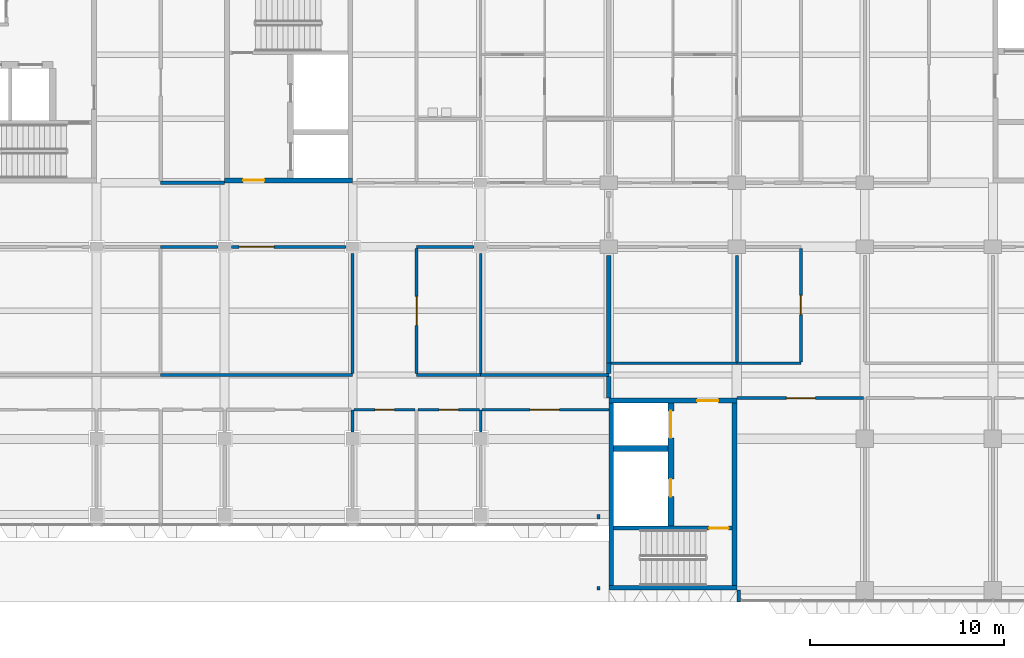
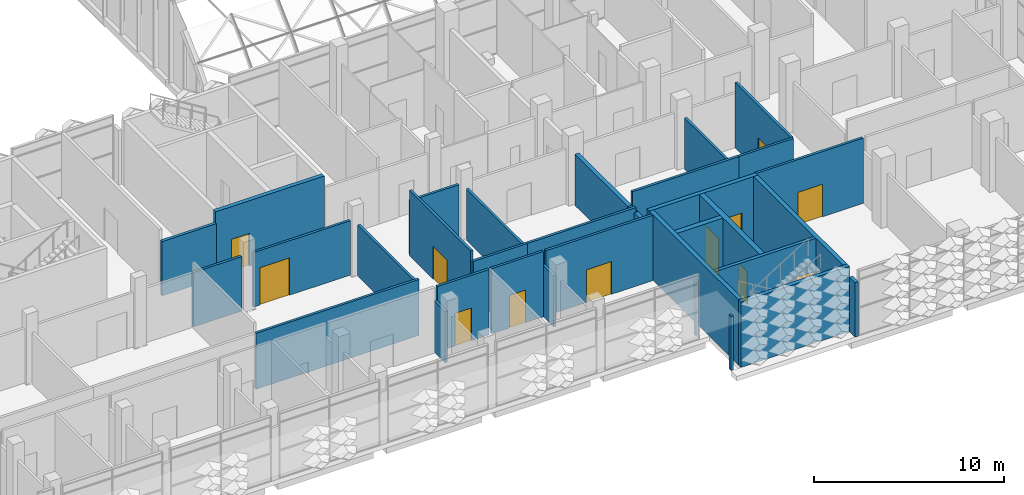
# One storey, part 51 of 109: 34 walls, 12 doors, 12 openings.
"""IFC4 building model written with IfcOpenShell, lengths in metres."""

from ifc_helpers import new_model, si_unit, direction, frame, frame_2d, origin, place, context, subcontext, project, spatial, rectangle, extrude, material, layer, layer_set, type_object, element, fill, save


model = new_model("IFC4")

# Units and contexts
model_context = context("Model", 3, precision=1e-05, world=origin(), true_north=direction((0.0, 1.0)))
body_context = subcontext(model_context, "Body", "Model", "MODEL_VIEW")
ifc_project = project(units=[si_unit("LENGTHUNIT", "METRE"), si_unit("AREAUNIT", "SQUARE_METRE"), si_unit("VOLUMEUNIT", "CUBIC_METRE"), si_unit("PLANEANGLEUNIT", "RADIAN"), si_unit("MASSUNIT", "GRAM", prefix="KILO")], contexts=[model_context])

# Site, building, storey
site_placement = place(None, origin())
site = spatial("IfcSite", under=ifc_project, at=site_placement, CompositionType="ELEMENT")
building_placement = place(site_placement, origin())
building = spatial("IfcBuilding", under=site, at=building_placement, Name="Lantern Court Research Institute", CompositionType="ELEMENT")
storey_placement = place(building_placement, frame((0.0, 0.0, 14.39990234375)))
storey = spatial("IfcBuildingStorey", under=building, at=storey_placement, Name="L03", CompositionType="ELEMENT", Elevation=14.39990234375)

# Walls
ifc_material_1 = material(Name="Double-stud acoustic gypsum board partition, mineral wool filled")
ifc_layer_1 = layer(ifc_material_1, 0.175048828125)
ifc_layer_set_1 = layer_set([ifc_layer_1], Name="Double-stud acoustic gypsum board partition, mineral wool filled")
wall_type_1 = type_object("IfcWallType", Name="Acoustic partition 175 EI 60", PredefinedType="PARTITIONING", material=ifc_layer_set_1)
wall_1_placement = place(storey_placement, frame((33.0, 13.199951171875, 0.0), z_axis=(0.0, 0.0, 1.0), x_axis=(-1.0, 0.0, 0.0)))
element("IfcWall", 1, at=wall_1_placement, inside=storey, type_object=wall_type_1, Name="Acoustic partition 175 EI 60", PredefinedType="PARTITIONING", context=body_context, shape_type="SweptSolid", body=[
    extrude(rectangle(XDim=3.300048828125, YDim=0.175048828125, at=frame_2d((1.64990234375, 0.0))), origin(), (0.0, 0.0, 1.0), 3.5),
])
ifc_material_2 = material(Name="Aluminium alloy 6063-T6", Category="aluminium")
ifc_layer_2 = layer(ifc_material_2, 0.14990234375)
ifc_layer_set_2 = layer_set([ifc_layer_2], Name="Aluminium alloy 6063-T6")
wall_type_2 = type_object("IfcWallType", Name="Entrance screen wall 150 aluminium", PredefinedType="STANDARD", material=ifc_layer_set_2)
wall_2_placement = place(storey_placement, frame((52.27490234375, -7.800048828125, 0.0), z_axis=(0.0, 0.0, 1.0), x_axis=(0.0, 1.0, 0.0)))
element("IfcWall", 2, at=wall_2_placement, inside=storey, type_object=wall_type_2, Name="Exterior wall EW177", PredefinedType="STANDARD", context=body_context, shape_type="SweptSolid", body=[
    extrude(rectangle(XDim=0.199951171875, YDim=0.14990234375, at=frame_2d((0.10009765625, 0.0))), origin(), (0.0, 0.0, 1.0), 3.5),
])
wall_3_placement = place(storey_placement, frame((52.27490234375, -4.125, 0.0), z_axis=(0.0, 0.0, 1.0), x_axis=(0.0, 1.0, 0.0)))
element("IfcWall", 3, at=wall_3_placement, inside=storey, type_object=wall_type_2, Name="Exterior wall EW178", PredefinedType="STANDARD", context=body_context, shape_type="SweptSolid", body=[
    extrude(rectangle(XDim=0.22509765625, YDim=0.14990234375, at=frame_2d((0.112548828125, 0.0))), origin(), (0.0, 0.0, 1.0), 3.5),
])
ifc_material_3 = material(Name="Fire-rated gypsum board partition, mineral wool filled")
ifc_layer_3 = layer(ifc_material_3, 0.14990234375)
ifc_layer_set_3 = layer_set([ifc_layer_3], Name="Fire-rated gypsum board partition, mineral wool filled")
wall_type_3 = type_object("IfcWallType", Name="Laboratory partition 150 EI 60", PredefinedType="PARTITIONING", material=ifc_layer_set_3)
wall_4_placement = place(storey_placement, frame((29.699951171875, 9.89990234375, 0.0), z_axis=(0.0, 0.0, 1.0), x_axis=(1.0, 0.0, 0.0)))
element("IfcWall", 4, at=wall_4_placement, inside=storey, type_object=wall_type_3, Name="Laboratory partition 150 EI 60", PredefinedType="PARTITIONING", context=body_context, shape_type="SweptSolid", body=[
    extrude(rectangle(XDim=2.949951171875, YDim=0.14990234375, at=frame_2d((1.47509765625, 0.0))), origin(), (0.0, 0.0, 1.0), 3.5),
])

# Wall, opening, door
wall_5_placement = place(storey_placement, frame((33.35009765625, 9.89990234375, 0.0), z_axis=(0.0, 0.0, 1.0), x_axis=(1.0, 0.0, 0.0)))
wall_5 = element("IfcWall", 5, at=wall_5_placement, inside=storey, type_object=wall_type_3, Name="Laboratory partition 150 EI 60", PredefinedType="PARTITIONING", context=body_context, shape_type="SweptSolid", body=[
    extrude(rectangle(XDim=5.89990234375, YDim=0.14990234375, at=frame_2d((2.949951171875, 0.0))), origin(), (0.0, 0.0, 1.0), 3.5),
])
opening_1_placement = place(wall_5_placement, frame((0.39990234375, 0.0, 0.0)))
opening_1 = element("IfcOpeningElement", 6, at=opening_1_placement, cuts=wall_5, Name="Opening D4327", PredefinedType="OPENING", context=body_context, shape_type="SweptSolid", body=[
    extrude(rectangle(XDim=1.800048828125, YDim=2.39990234375, at=frame_2d((0.89990234375, 1.199951171875))), frame((0.0, 0.0849609375, 0.0), z_axis=(0.0, -1.0, 0.0), x_axis=(1.0, 0.0, 0.0)), (0.0, 0.0, 1.0), 0.169921875),
])
ifc_material_4 = material(Name="Solid-core timber door leaf with vision panel", Category="wood")
ifc_layer_4 = layer(ifc_material_4, 0.053955078125)
ifc_layer_set_4 = layer_set([ifc_layer_4], Name="Solid-core timber door leaf with vision panel")
door_type_1 = type_object("IfcDoorType", Name="Laboratory equipment door 1800 x 2400 pair FD30S", OperationType="DOUBLE_DOOR_SINGLE_SWING", PredefinedType="DOOR", material=ifc_layer_set_4)
door_1_placement = place(opening_1_placement, origin())
door_1 = element("IfcDoor", 7, at=door_1_placement, inside=storey, type_object=door_type_1, Name="Door D4327", OperationType="DOUBLE_DOOR_SINGLE_SWING", OverallHeight=2.39990234375, OverallWidth=1.800048828125, PredefinedType="DOOR", context=body_context, shape_type="SweptSolid", body=[
    extrude(rectangle(XDim=1.800048828125, YDim=2.39990234375, at=frame_2d((0.89990234375, 1.199951171875))), frame((0.0, 0.02685546875, 0.0), z_axis=(0.0, -1.0, 0.0), x_axis=(1.0, 0.0, 0.0)), (0.0, 0.0, 1.0), 0.053955078125),
])
fill(opening_1, door_1)

# Walls
wall_6_placement = place(storey_placement, frame((42.89990234375, 9.89990234375, 0.0), z_axis=(0.0, 0.0, 1.0), x_axis=(1.0, 0.0, 0.0)))
element("IfcWall", 8, at=wall_6_placement, inside=storey, type_object=wall_type_3, Name="Laboratory partition 150 EI 60", PredefinedType="PARTITIONING", context=body_context, shape_type="SweptSolid", body=[
    extrude(rectangle(XDim=2.9501953125, YDim=0.14990234375, at=frame_2d((1.47509765625, 0.0))), origin(), (0.0, 0.0, 1.0), 3.5),
])
wall_7_placement = place(storey_placement, frame((39.60009765625, 0.35009765625, 0.0), z_axis=(0.0, 0.0, 1.0), x_axis=(0.0, 1.0, 0.0)))
element("IfcWall", 9, at=wall_7_placement, inside=storey, type_object=wall_type_3, Name="Laboratory partition 150 EI 60", PredefinedType="PARTITIONING", context=body_context, shape_type="SweptSolid", body=[
    extrude(rectangle(XDim=1.14990234375, YDim=0.14990234375, at=frame_2d((0.574951171875, 0.0))), origin(), (0.0, 0.0, 1.0), 3.300048828125),
])

# Wall, opening, door
wall_8_placement = place(storey_placement, frame((42.824951171875, 1.5, 0.0), z_axis=(0.0, 0.0, 1.0), x_axis=(-1.0, 0.0, 0.0)))
wall_8 = element("IfcWall", 10, at=wall_8_placement, inside=storey, type_object=wall_type_3, Name="Laboratory partition 150 EI 60", PredefinedType="PARTITIONING", context=body_context, shape_type="SweptSolid", body=[
    extrude(rectangle(XDim=3.14990234375, YDim=0.14990234375, at=frame_2d((1.574951171875, 0.0))), origin(), (0.0, 0.0, 1.0), 4.2001953125),
])
opening_2_placement = place(wall_8_placement, frame((1.074951171875, 0.0, 0.0)))
opening_2 = element("IfcOpeningElement", 11, at=opening_2_placement, cuts=wall_8, Name="Opening D4321", PredefinedType="OPENING", context=body_context, shape_type="SweptSolid", body=[
    extrude(rectangle(XDim=1.0, YDim=2.10009765625, at=frame_2d((0.5, 1.050048828125))), frame((0.0, 0.0849609375, 0.0), z_axis=(0.0, -1.0, 0.0), x_axis=(1.0, 0.0, 0.0)), (0.0, 0.0, 1.0), 0.169921875),
])
ifc_material_5 = material(Name="Solid-core timber door leaf with vision panel", Category="wood")
ifc_layer_5 = layer(ifc_material_5, 0.053955078125)
ifc_layer_set_5 = layer_set([ifc_layer_5], Name="Solid-core timber door leaf with vision panel")
door_type_2 = type_object("IfcDoorType", Name="Laboratory door 1000 x 2100 single FD30S", OperationType="NOTDEFINED", PredefinedType="DOOR", material=ifc_layer_set_5)
door_2_placement = place(opening_2_placement, origin())
door_2 = element("IfcDoor", 12, at=door_2_placement, inside=storey, type_object=door_type_2, Name="Door D4321", OperationType="SINGLE_SWING_LEFT", OverallHeight=2.10009765625, OverallWidth=1.0, PredefinedType="DOOR", context=body_context, shape_type="SweptSolid", body=[
    extrude(rectangle(XDim=1.0, YDim=2.10009765625, at=frame_2d((0.5, 1.050048828125))), frame((0.0, 0.02685546875, 0.0), z_axis=(0.0, -1.0, 0.0), x_axis=(1.0, 0.0, 0.0)), (0.0, 0.0, 1.0), 0.053955078125),
])
fill(opening_2, door_2)

# Wall
wall_9_placement = place(storey_placement, frame((46.199951171875, 0.35009765625, 0.0), z_axis=(0.0, 0.0, 1.0), x_axis=(0.0, 1.0, 0.0)))
element("IfcWall", 13, at=wall_9_placement, inside=storey, type_object=wall_type_3, Name="Laboratory partition 150 EI 60", PredefinedType="PARTITIONING", context=body_context, shape_type="SweptSolid", body=[
    extrude(rectangle(XDim=1.14990234375, YDim=0.14990234375, at=frame_2d((0.574951171875, 0.0))), origin(), (0.0, 0.0, 1.0), 3.300048828125),
])

# Wall, opening, door
wall_10_placement = place(storey_placement, frame((46.125, 1.5, 0.0), z_axis=(0.0, 0.0, 1.0), x_axis=(-1.0, 0.0, 0.0)))
wall_10 = element("IfcWall", 14, at=wall_10_placement, inside=storey, type_object=wall_type_3, Name="Laboratory partition 150 EI 60", PredefinedType="PARTITIONING", context=body_context, shape_type="SweptSolid", body=[
    extrude(rectangle(XDim=3.14990234375, YDim=0.14990234375, at=frame_2d((1.574951171875, 0.0))), origin(), (0.0, 0.0, 1.0), 4.2001953125),
])
opening_3_placement = place(wall_10_placement, frame((1.074951171875, 0.0, 0.0)))
opening_3 = element("IfcOpeningElement", 15, at=opening_3_placement, cuts=wall_10, Name="Opening D4322", PredefinedType="OPENING", context=body_context, shape_type="SweptSolid", body=[
    extrude(rectangle(XDim=1.0, YDim=2.10009765625, at=frame_2d((0.5, 1.050048828125))), frame((0.0, 0.0849609375, 0.0), z_axis=(0.0, -1.0, 0.0), x_axis=(1.0, 0.0, 0.0)), (0.0, 0.0, 1.0), 0.169921875),
])
door_3_placement = place(opening_3_placement, origin())
door_3 = element("IfcDoor", 16, at=door_3_placement, inside=storey, type_object=door_type_2, Name="Door D4322", OperationType="SINGLE_SWING_LEFT", OverallHeight=2.10009765625, OverallWidth=1.0, PredefinedType="DOOR", context=body_context, shape_type="SweptSolid", body=[
    extrude(rectangle(XDim=1.0, YDim=2.10009765625, at=frame_2d((0.5, 1.050048828125))), frame((0.0, 0.02685546875, 0.0), z_axis=(0.0, -1.0, 0.0), x_axis=(1.0, 0.0, 0.0)), (0.0, 0.0, 1.0), 0.053955078125),
])
fill(opening_3, door_3)

wall_11_placement = place(storey_placement, frame((52.7998046875, 1.5, 0.0), z_axis=(0.0, 0.0, 1.0), x_axis=(-1.0, 0.0, 0.0)))
wall_11 = element("IfcWall", 17, at=wall_11_placement, inside=storey, type_object=wall_type_3, Name="Laboratory partition 150 EI 60", PredefinedType="PARTITIONING", context=body_context, shape_type="SweptSolid", body=[
    extrude(rectangle(XDim=6.52490234375, YDim=0.14990234375, at=frame_2d((3.262451171875, 0.0))), origin(), (0.0, 0.0, 1.0), 4.2001953125),
])
opening_4_placement = place(wall_11_placement, frame((2.5498046875, 0.0, 0.0)))
opening_4 = element("IfcOpeningElement", 18, at=opening_4_placement, cuts=wall_11, Name="Opening D4323", PredefinedType="OPENING", context=body_context, shape_type="SweptSolid", body=[
    extrude(rectangle(XDim=1.5, YDim=2.10009765625, at=frame_2d((0.75, 1.050048828125))), frame((0.0, 0.0849609375, 0.0), z_axis=(0.0, -1.0, 0.0), x_axis=(1.0, 0.0, 0.0)), (0.0, 0.0, 1.0), 0.169921875),
])
ifc_material_6 = material(Name="Solid-core timber door leaf with vision panel", Category="wood")
ifc_layer_6 = layer(ifc_material_6, 0.053955078125)
ifc_layer_set_6 = layer_set([ifc_layer_6], Name="Solid-core timber door leaf with vision panel")
door_type_3 = type_object("IfcDoorType", Name="Laboratory double door 1500 x 2100 pair FD30S", OperationType="DOUBLE_DOOR_SINGLE_SWING", PredefinedType="DOOR", material=ifc_layer_set_6)
door_4_placement = place(opening_4_placement, origin())
door_4 = element("IfcDoor", 19, at=door_4_placement, inside=storey, type_object=door_type_3, Name="Door D4323", OperationType="DOUBLE_DOOR_SINGLE_SWING", OverallHeight=2.10009765625, OverallWidth=1.5, PredefinedType="DOOR", context=body_context, shape_type="SweptSolid", body=[
    extrude(rectangle(XDim=1.5, YDim=2.10009765625, at=frame_2d((0.75, 1.050048828125))), frame((0.0, 0.02685546875, 0.0), z_axis=(0.0, -1.0, 0.0), x_axis=(1.0, 0.0, 0.0)), (0.0, 0.0, 1.0), 0.053955078125),
])
fill(opening_4, door_4)

# Walls
wall_12_placement = place(storey_placement, frame((39.60009765625, 3.300048828125, 0.0), z_axis=(0.0, 0.0, 1.0), x_axis=(-1.0, 0.0, 0.0)))
element("IfcWall", 20, at=wall_12_placement, inside=storey, type_object=wall_type_3, Name="Laboratory partition 150 EI 60", PredefinedType="PARTITIONING", context=body_context, shape_type="SweptSolid", body=[
    extrude(rectangle(XDim=9.900146484375, YDim=0.14990234375, at=frame_2d((4.9501953125, 0.0))), origin(), (0.0, 0.0, 1.0), 3.60009765625),
])
wall_13_placement = place(storey_placement, frame((46.199951171875, 3.300048828125, 0.0), z_axis=(0.0, 0.0, 1.0), x_axis=(-1.0, 0.0, 0.0)))
element("IfcWall", 21, at=wall_13_placement, inside=storey, type_object=wall_type_3, Name="Laboratory partition 150 EI 60", PredefinedType="PARTITIONING", context=body_context, shape_type="SweptSolid", body=[
    extrude(rectangle(XDim=3.300048828125, YDim=0.14990234375, at=frame_2d((1.64990234375, 0.0))), origin(), (0.0, 0.0, 1.0), 3.60009765625),
])
wall_14_placement = place(storey_placement, frame((52.800048828125, 3.300048828125, 0.0), z_axis=(0.0, 0.0, 1.0), x_axis=(-1.0, 0.0, 0.0)))
element("IfcWall", 22, at=wall_14_placement, inside=storey, type_object=wall_type_3, Name="Laboratory partition 150 EI 60", PredefinedType="PARTITIONING", context=body_context, shape_type="SweptSolid", body=[
    extrude(rectangle(XDim=6.60009765625, YDim=0.14990234375, at=frame_2d((3.300048828125, 0.0))), origin(), (0.0, 0.0, 1.0), 3.60009765625),
])
wall_15_placement = place(storey_placement, frame((39.60009765625, 3.375, 0.0), z_axis=(0.0, 0.0, 1.0), x_axis=(0.0, 1.0, 0.0)))
element("IfcWall", 23, at=wall_15_placement, inside=storey, type_object=wall_type_3, Name="Laboratory partition 150 EI 60", PredefinedType="PARTITIONING", context=body_context, shape_type="SweptSolid", body=[
    extrude(rectangle(XDim=6.175048828125, YDim=0.14990234375, at=frame_2d((3.08740234375, 0.0))), origin(), (0.0, 0.0, 1.0), 3.300048828125),
])

# Wall, opening, door
wall_16_placement = place(storey_placement, frame((42.89990234375, 3.375, 0.0), z_axis=(0.0, 0.0, 1.0), x_axis=(0.0, 1.0, 0.0)))
wall_16 = element("IfcWall", 24, at=wall_16_placement, inside=storey, type_object=wall_type_3, Name="Laboratory partition 150 EI 60", PredefinedType="PARTITIONING", context=body_context, shape_type="SweptSolid", body=[
    extrude(rectangle(XDim=6.449951171875, YDim=0.14990234375, at=frame_2d((3.22509765625, 0.0))), origin(), (0.0, 0.0, 1.0), 4.2001953125),
])
opening_5_placement = place(wall_16_placement, frame((2.47509765625, 0.0, 0.0)))
opening_5 = element("IfcOpeningElement", 25, at=opening_5_placement, cuts=wall_16, Name="Opening D4328", PredefinedType="OPENING", context=body_context, shape_type="SweptSolid", body=[
    extrude(rectangle(XDim=1.5, YDim=2.10009765625, at=frame_2d((0.75, 1.050048828125))), frame((0.0, 0.0849609375, 0.0), z_axis=(0.0, -1.0, 0.0), x_axis=(1.0, 0.0, 0.0)), (0.0, 0.0, 1.0), 0.169921875),
])
door_5_placement = place(opening_5_placement, origin())
door_5 = element("IfcDoor", 26, at=door_5_placement, inside=storey, type_object=door_type_3, Name="Door D4328", OperationType="DOUBLE_DOOR_SINGLE_SWING", OverallHeight=2.10009765625, OverallWidth=1.5, PredefinedType="DOOR", context=body_context, shape_type="SweptSolid", body=[
    extrude(rectangle(XDim=1.5, YDim=2.10009765625, at=frame_2d((0.75, 1.050048828125))), frame((0.0, 0.02685546875, 0.0), z_axis=(0.0, -1.0, 0.0), x_axis=(1.0, 0.0, 0.0)), (0.0, 0.0, 1.0), 0.053955078125),
])
fill(opening_5, door_5)

# Wall
wall_17_placement = place(storey_placement, frame((46.199951171875, 3.375, 0.0), z_axis=(0.0, 0.0, 1.0), x_axis=(0.0, 1.0, 0.0)))
element("IfcWall", 27, at=wall_17_placement, inside=storey, type_object=wall_type_3, Name="Laboratory partition 150 EI 60", PredefinedType="PARTITIONING", context=body_context, shape_type="SweptSolid", body=[
    extrude(rectangle(XDim=6.175048828125, YDim=0.14990234375, at=frame_2d((3.08740234375, 0.0))), origin(), (0.0, 0.0, 1.0), 3.300048828125),
])

# Wall, opening, door
wall_18_placement = place(storey_placement, frame((65.925048828125, 2.10009765625, 0.0), z_axis=(0.0, 0.0, 1.0), x_axis=(-1.0, 0.0, 0.0)))
wall_18 = element("IfcWall", 28, at=wall_18_placement, inside=storey, type_object=wall_type_3, Name="Laboratory partition 150 EI 60", PredefinedType="PARTITIONING", context=body_context, shape_type="SweptSolid", body=[
    extrude(rectangle(XDim=6.52490234375, YDim=0.14990234375, at=frame_2d((3.262451171875, 0.0))), origin(), (0.0, 0.0, 1.0), 4.2001953125),
])
opening_6_placement = place(wall_18_placement, frame((2.47509765625, 0.0, 0.0)))
opening_6 = element("IfcOpeningElement", 29, at=opening_6_placement, cuts=wall_18, Name="Opening D5309", PredefinedType="OPENING", context=body_context, shape_type="SweptSolid", body=[
    extrude(rectangle(XDim=1.5, YDim=2.10009765625, at=frame_2d((0.75, 1.050048828125))), frame((0.0, 0.0849609375, 0.0), z_axis=(0.0, -1.0, 0.0), x_axis=(1.0, 0.0, 0.0)), (0.0, 0.0, 1.0), 0.169921875),
])
door_6_placement = place(opening_6_placement, origin())
door_6 = element("IfcDoor", 30, at=door_6_placement, inside=storey, type_object=door_type_3, Name="Door D5309", OperationType="DOUBLE_DOOR_SINGLE_SWING", OverallHeight=2.10009765625, OverallWidth=1.5, PredefinedType="DOOR", context=body_context, shape_type="SweptSolid", body=[
    extrude(rectangle(XDim=1.5, YDim=2.10009765625, at=frame_2d((0.75, 1.050048828125))), frame((0.0, 0.02685546875, 0.0), z_axis=(0.0, -1.0, 0.0), x_axis=(1.0, 0.0, 0.0)), (0.0, 0.0, 1.0), 0.053955078125),
])
fill(opening_6, door_6)

# Walls
wall_19_placement = place(storey_placement, frame((59.39990234375, 3.89990234375, 0.0), z_axis=(0.0, 0.0, 1.0), x_axis=(-1.0, 0.0, 0.0)))
element("IfcWall", 31, at=wall_19_placement, inside=storey, type_object=wall_type_3, Name="Laboratory partition 150 EI 60", PredefinedType="PARTITIONING", context=body_context, shape_type="SweptSolid", body=[
    extrude(rectangle(XDim=6.474853515625, YDim=0.14990234375, at=frame_2d((3.2373046875, 0.0))), origin(), (0.0, 0.0, 1.0), 4.2001953125),
])
wall_20_placement = place(storey_placement, frame((62.699951171875, 3.89990234375, 0.0), z_axis=(0.0, 0.0, 1.0), x_axis=(-1.0, 0.0, 0.0)))
element("IfcWall", 32, at=wall_20_placement, inside=storey, type_object=wall_type_3, Name="Laboratory partition 150 EI 60", PredefinedType="PARTITIONING", context=body_context, shape_type="SweptSolid", body=[
    extrude(rectangle(XDim=3.300048828125, YDim=0.14990234375, at=frame_2d((1.64990234375, 0.0))), origin(), (0.0, 0.0, 1.0), 4.2001953125),
])
wall_21_placement = place(storey_placement, frame((59.39990234375, 3.97509765625, 0.0), z_axis=(0.0, 0.0, 1.0), x_axis=(0.0, 1.0, 0.0)))
element("IfcWall", 33, at=wall_21_placement, inside=storey, type_object=wall_type_3, Name="Laboratory partition 150 EI 60", PredefinedType="PARTITIONING", context=body_context, shape_type="SweptSolid", body=[
    extrude(rectangle(XDim=5.474853515625, YDim=0.14990234375, at=frame_2d((2.7373046875, 0.0))), origin(), (0.0, 0.0, 1.0), 3.300048828125),
])

# Wall, opening, door
wall_22_placement = place(storey_placement, frame((62.699951171875, 9.824951171875, 0.0), z_axis=(0.0, 0.0, 1.0), x_axis=(0.0, -1.0, 0.0)))
wall_22 = element("IfcWall", 34, at=wall_22_placement, inside=storey, type_object=wall_type_3, Name="Laboratory partition 150 EI 60", PredefinedType="PARTITIONING", context=body_context, shape_type="SweptSolid", body=[
    extrude(rectangle(XDim=5.849853515625, YDim=0.14990234375, at=frame_2d((2.9248046875, 0.0))), origin(), (0.0, 0.0, 1.0), 4.2001953125),
])
opening_7_placement = place(wall_22_placement, frame((2.425048828125, 0.0, 0.0)))
opening_7 = element("IfcOpeningElement", 35, at=opening_7_placement, cuts=wall_22, Name="Opening D5313", PredefinedType="OPENING", context=body_context, shape_type="SweptSolid", body=[
    extrude(rectangle(XDim=1.0, YDim=2.10009765625, at=frame_2d((0.5, 1.050048828125))), frame((0.0, 0.0849609375, 0.0), z_axis=(0.0, -1.0, 0.0), x_axis=(1.0, 0.0, 0.0)), (0.0, 0.0, 1.0), 0.169921875),
])
door_7_placement = place(opening_7_placement, origin())
door_7 = element("IfcDoor", 36, at=door_7_placement, inside=storey, type_object=door_type_2, Name="Door D5313", OperationType="SINGLE_SWING_RIGHT", OverallHeight=2.10009765625, OverallWidth=1.0, PredefinedType="DOOR", context=body_context, shape_type="SweptSolid", body=[
    extrude(rectangle(XDim=1.0, YDim=2.10009765625, at=frame_2d((0.5, 1.050048828125))), frame((0.0, 0.02685546875, 0.0), z_axis=(0.0, -1.0, 0.0), x_axis=(1.0, 0.0, 0.0)), (0.0, 0.0, 1.0), 0.053955078125),
])
fill(opening_7, door_7)

# Walls
ifc_material_7 = material(Name="Fire-rated gypsum board partition, double stud, mineral wool filled")
ifc_layer_7 = layer(ifc_material_7, 0.25)
ifc_layer_set_7 = layer_set([ifc_layer_7], Name="Fire-rated gypsum board partition, double stud, mineral wool filled")
wall_type_4 = type_object("IfcWallType", Name="Plant compartment wall 250 EI 120", PredefinedType="PARTITIONING", material=ifc_layer_set_7)
wall_23_placement = place(storey_placement, frame((52.800048828125, 2.10009765625, 0.0), z_axis=(0.0, 0.0, 1.0), x_axis=(0.0, 1.0, 0.0)))
element("IfcWall", 37, at=wall_23_placement, inside=storey, type_object=wall_type_4, Name="Plant compartment wall 250 EI 120", PredefinedType="PARTITIONING", context=body_context, shape_type="SweptSolid", body=[
    extrude(rectangle(XDim=1.125, YDim=0.25, at=frame_2d((0.5625, 0.0))), origin(), (0.0, 0.0, 1.0), 3.300048828125),
])
wall_24_placement = place(storey_placement, frame((52.800048828125, 3.375, 0.0), z_axis=(0.0, 0.0, 1.0), x_axis=(0.0, 1.0, 0.0)))
element("IfcWall", 38, at=wall_24_placement, inside=storey, type_object=wall_type_4, Name="Plant compartment wall 250 EI 120", PredefinedType="PARTITIONING", context=body_context, shape_type="SweptSolid", body=[
    extrude(rectangle(XDim=0.52490234375, YDim=0.25, at=frame_2d((0.262451171875, 0.0))), origin(), (0.0, 0.0, 1.0), 3.300048828125),
])
wall_25_placement = place(storey_placement, frame((52.800048828125, 3.89990234375, 0.0), z_axis=(0.0, 0.0, 1.0), x_axis=(0.0, 1.0, 0.0)))
element("IfcWall", 39, at=wall_25_placement, inside=storey, type_object=wall_type_4, Name="Plant compartment wall 250 EI 120", PredefinedType="PARTITIONING", context=body_context, shape_type="SweptSolid", body=[
    extrude(rectangle(XDim=5.550048828125, YDim=0.25, at=frame_2d((2.77490234375, 0.0))), origin(), (0.0, 0.0, 1.0), 3.300048828125),
])

# Wall, opening, door
ifc_material_8 = material(Name="Concrete C40/50", Category="concrete")
ifc_layer_8 = layer(ifc_material_8, 0.25)
ifc_layer_set_8 = layer_set([ifc_layer_8], Name="Concrete C40/50")
wall_type_5 = type_object("IfcWallType", Name="RC core wall 250", PredefinedType="SHEAR", material=ifc_layer_set_8)
wall_26_placement = place(storey_placement, frame((33.0, 13.324951171875, 0.0), z_axis=(0.0, 0.0, 1.0), x_axis=(1.0, 0.0, 0.0)))
wall_26 = element("IfcWall", 40, at=wall_26_placement, inside=storey, type_object=wall_type_5, Name="South wall of core BC-E", PredefinedType="SHEAR", context=body_context, shape_type="SweptSolid", body=[
    extrude(rectangle(XDim=6.60009765625, YDim=0.25, at=frame_2d((3.300048828125, 0.0))), origin(), (0.0, 0.0, 1.0), 4.2001953125),
])
opening_8_placement = place(wall_26_placement, frame((0.949951171875, 0.0, 0.0)))
opening_8 = element("IfcOpeningElement", 41, at=opening_8_placement, cuts=wall_26, Name="Opening D7084", PredefinedType="OPENING", context=body_context, shape_type="SweptSolid", body=[
    extrude(rectangle(XDim=1.10009765625, YDim=2.10009765625, at=frame_2d((0.550048828125, 1.050048828125))), frame((0.0, 0.135009765625, 0.0), z_axis=(0.0, -1.0, 0.0), x_axis=(1.0, 0.0, 0.0)), (0.0, 0.0, 1.0), 0.27001953125),
])
ifc_material_9 = material(Name="Steel fire door leaf with smoke seals", Category="steel")
door_type_4 = type_object("IfcDoorType", Name="Door 1100 x 2100 fire rated FD60S", OperationType="NOTDEFINED", PredefinedType="DOOR", material=ifc_material_9)
door_8_placement = place(opening_8_placement, origin())
door_8 = element("IfcDoor", 42, at=door_8_placement, inside=storey, type_object=door_type_4, Name="Lobby door", OperationType="SINGLE_SWING_RIGHT", OverallHeight=2.10009765625, OverallWidth=1.10009765625, PredefinedType="DOOR", context=body_context, shape_type="SweptSolid", body=[
    extrude(rectangle(XDim=1.10009765625, YDim=2.10009765625, at=frame_2d((0.550048828125, 1.050048828125))), frame((0.0, 0.02490234375, 0.0), z_axis=(0.0, -1.0, 0.0), x_axis=(1.0, 0.0, 0.0)), (0.0, 0.0, 1.0), 0.050048828125),
])
fill(opening_8, door_8)

wall_27_placement = place(storey_placement, frame((59.39990234375, 1.97509765625, 0.0), z_axis=(0.0, 0.0, 1.0), x_axis=(-1.0, 0.0, 0.0)))
wall_27 = element("IfcWall", 43, at=wall_27_placement, inside=storey, type_object=wall_type_5, Name="North wall of core TC-W", PredefinedType="SHEAR", context=body_context, shape_type="SweptSolid", body=[
    extrude(rectangle(XDim=6.599853515625, YDim=0.25, at=frame_2d((3.2998046875, 0.0))), origin(), (0.0, 0.0, 1.0), 4.2001953125),
])
opening_9_placement = place(wall_27_placement, frame((0.949951171875, 0.0, 0.0)))
opening_9 = element("IfcOpeningElement", 44, at=opening_9_placement, cuts=wall_27, Name="Opening D7113", PredefinedType="OPENING", context=body_context, shape_type="SweptSolid", body=[
    extrude(rectangle(XDim=1.10009765625, YDim=2.10009765625, at=frame_2d((0.550048828125, 1.050048828125))), frame((0.0, 0.135009765625, 0.0), z_axis=(0.0, -1.0, 0.0), x_axis=(1.0, 0.0, 0.0)), (0.0, 0.0, 1.0), 0.27001953125),
])
door_9_placement = place(opening_9_placement, origin())
door_9 = element("IfcDoor", 45, at=door_9_placement, inside=storey, type_object=door_type_4, Name="Lobby door", OperationType="SINGLE_SWING_RIGHT", OverallHeight=2.10009765625, OverallWidth=1.10009765625, PredefinedType="DOOR", context=body_context, shape_type="SweptSolid", body=[
    extrude(rectangle(XDim=1.10009765625, YDim=2.10009765625, at=frame_2d((0.550048828125, 1.050048828125))), frame((0.0, 0.02490234375, 0.0), z_axis=(0.0, -1.0, 0.0), x_axis=(1.0, 0.0, 0.0)), (0.0, 0.0, 1.0), 0.050048828125),
])
fill(opening_9, door_9)

# Walls
for number, where, z_axis, x_axis, name in (
    (46, (59.27490234375, 1.85009765625, 0.0), (0.0, 0.0, 1.0), (0.0, -1.0, 0.0), "East wall of core TC-W"),
    (47, (52.925048828125, 1.85009765625, 0.0), (0.0, 0.0, 1.0), (0.0, -1.0, 0.0), "West wall of core TC-W"),
):
    element("IfcWall", number, at=place(storey_placement, frame(where, z_axis=z_axis, x_axis=x_axis)), inside=storey, type_object=wall_type_5, Name=name, PredefinedType="SHEAR", context=body_context, shape_type="SweptSolid", body=[
        extrude(rectangle(XDim=9.400146484375, YDim=0.25, at=frame_2d((4.7001953125, 0.0))), origin(), (0.0, 0.0, 1.0), 4.2001953125),
    ])
ifc_material_10 = material(Name="Concrete C40/50", Category="concrete")
ifc_layer_9 = layer(ifc_material_10, 0.25)
ifc_layer_set_9 = layer_set([ifc_layer_9], Name="Concrete C40/50")
wall_type_6 = type_object("IfcWallType", Name="RC core wall 250 facade", PredefinedType="SHEAR", material=ifc_layer_set_9)
wall_28_placement = place(storey_placement, frame((59.39990234375, -7.675048828125, 0.0), z_axis=(0.0, 0.0, 1.0), x_axis=(-1.0, 0.0, 0.0)))
element("IfcWall", 48, at=wall_28_placement, inside=storey, type_object=wall_type_6, Name="South wall of core TC-W", PredefinedType="SHEAR", context=body_context, shape_type="SweptSolid", body=[
    extrude(rectangle(XDim=6.599853515625, YDim=0.25, at=frame_2d((3.2998046875, 0.0))), origin(), (0.0, 0.0, 1.0), 4.2001953125),
])

# Wall, opening, door
ifc_material_11 = material(Name="Concrete C40/50", Category="concrete")
ifc_layer_10 = layer(ifc_material_11, 0.199951171875)
ifc_layer_set_10 = layer_set([ifc_layer_10], Name="Concrete C40/50")
wall_type_7 = type_object("IfcWallType", Name="RC shaft wall 200", PredefinedType="SHEAR", material=ifc_layer_set_10)
wall_29_placement = place(storey_placement, frame((59.14990234375, -4.60009765625, 0.0), z_axis=(0.0, 0.0, 1.0), x_axis=(-1.0, 0.0, 0.0)))
wall_29 = element("IfcWall", 49, at=wall_29_placement, inside=storey, type_object=wall_type_7, Name="Stair wall of core TC-W", PredefinedType="SHEAR", context=body_context, shape_type="SweptSolid", body=[
    extrude(rectangle(XDim=6.099853515625, YDim=0.199951171875, at=frame_2d((3.0498046875, 0.0))), origin(), (0.0, 0.0, 1.0), 4.2001953125),
])
opening_10_placement = place(wall_29_placement, frame((0.175048828125, 0.0, 0.0)))
opening_10 = element("IfcOpeningElement", 50, at=opening_10_placement, cuts=wall_29, Name="Opening D7114", PredefinedType="OPENING", context=body_context, shape_type="SweptSolid", body=[
    extrude(rectangle(XDim=1.0, YDim=2.10009765625, at=frame_2d((0.5, 1.050048828125))), frame((0.0, 0.10986328125, 0.0), z_axis=(0.0, -1.0, 0.0), x_axis=(1.0, 0.0, 0.0)), (0.0, 0.0, 1.0), 0.219970703125),
])
ifc_material_12 = material(Name="Steel fire door leaf with smoke seals", Category="steel")
door_type_5 = type_object("IfcDoorType", Name="Door 1000 x 2100 fire rated FD60S", OperationType="NOTDEFINED", PredefinedType="DOOR", material=ifc_material_12)
door_10_placement = place(opening_10_placement, origin())
door_10 = element("IfcDoor", 51, at=door_10_placement, inside=storey, type_object=door_type_5, Name="Stair door", OperationType="SINGLE_SWING_RIGHT", OverallHeight=2.10009765625, OverallWidth=1.0, PredefinedType="DOOR", context=body_context, shape_type="SweptSolid", body=[
    extrude(rectangle(XDim=1.0, YDim=2.10009765625, at=frame_2d((0.5, 1.050048828125))), frame((0.0, 0.02490234375, 0.0), z_axis=(0.0, -1.0, 0.0), x_axis=(1.0, 0.0, 0.0)), (0.0, 0.0, 1.0), 0.050048828125),
])
fill(opening_10, door_10)

# Wall, openings, doors
ifc_material_13 = material(Name="Concrete C40/50", Category="concrete")
ifc_layer_11 = layer(ifc_material_13, 0.300048828125)
ifc_layer_set_11 = layer_set([ifc_layer_11], Name="Concrete C40/50")
wall_type_8 = type_object("IfcWallType", Name="RC shaft wall 300", PredefinedType="SHEAR", material=ifc_layer_set_11)
wall_30_placement = place(storey_placement, frame((56.0, 1.85009765625, 0.0), z_axis=(0.0, 0.0, 1.0), x_axis=(0.0, -1.0, 0.0)))
wall_30 = element("IfcWall", 52, at=wall_30_placement, inside=storey, type_object=wall_type_8, Name="Lift shaft wall of core TC-W", PredefinedType="SHEAR", context=body_context, shape_type="SweptSolid", body=[
    extrude(rectangle(XDim=6.35009765625, YDim=0.300048828125, at=frame_2d((3.175048828125, 0.0))), origin(), (0.0, 0.0, 1.0), 4.2001953125),
])
opening_11_placement = place(wall_30_placement, frame((3.925048828125, 0.0, 0.0)))
opening_11 = element("IfcOpeningElement", 53, at=opening_11_placement, cuts=wall_30, Name="Opening D7112", PredefinedType="OPENING", context=body_context, shape_type="SweptSolid", body=[
    extrude(rectangle(XDim=0.89990234375, YDim=2.10009765625, at=frame_2d((0.449951171875, 1.050048828125))), frame((0.0, 0.159912109375, 0.0), z_axis=(0.0, -1.0, 0.0), x_axis=(1.0, 0.0, 0.0)), (0.0, 0.0, 1.0), 0.320068359375),
])
opening_12_placement = place(wall_30_placement, frame((0.39990234375, 0.0, 0.0)))
opening_12 = element("IfcOpeningElement", 54, at=opening_12_placement, cuts=wall_30, Name="Opening D7115", PredefinedType="OPENING", context=body_context, shape_type="SweptSolid", body=[
    extrude(rectangle(XDim=1.39990234375, YDim=2.39990234375, at=frame_2d((0.699951171875, 1.199951171875))), frame((0.0, 0.159912109375, 0.0), z_axis=(0.0, -1.0, 0.0), x_axis=(1.0, 0.0, 0.0)), (0.0, 0.0, 1.0), 0.320068359375),
])
ifc_material_14 = material(Name="Steel fire door leaf", Category="steel")
door_type_6 = type_object("IfcDoorType", Name="Door 900 x 2100 fire rated FD60", OperationType="NOTDEFINED", PredefinedType="DOOR", material=ifc_material_14)
door_11_placement = place(opening_11_placement, origin())
door_11 = element("IfcDoor", 55, at=door_11_placement, inside=storey, type_object=door_type_6, Name="Riser door", OperationType="SINGLE_SWING_RIGHT", OverallHeight=2.10009765625, OverallWidth=0.89990234375, PredefinedType="DOOR", context=body_context, shape_type="SweptSolid", body=[
    extrude(rectangle(XDim=0.89990234375, YDim=2.10009765625, at=frame_2d((0.449951171875, 1.050048828125))), frame((0.0, 0.02490234375, 0.0), z_axis=(0.0, -1.0, 0.0), x_axis=(1.0, 0.0, 0.0)), (0.0, 0.0, 1.0), 0.050048828125),
])
fill(opening_11, door_11)
ifc_material_15 = material(Name="Stainless steel landing door panels", Category="steel")
door_type_7 = type_object("IfcDoorType", Name="Lift landing door 1400 x 2400 sliding FD60", OperationType="DOUBLE_DOOR_SLIDING", PredefinedType="NOTDEFINED", material=ifc_material_15)
door_12_placement = place(opening_12_placement, origin())
door_12 = element("IfcDoor", 56, at=door_12_placement, inside=storey, type_object=door_type_7, Name="Landing door", OperationType="DOUBLE_DOOR_SLIDING", OverallHeight=2.39990234375, OverallWidth=1.39990234375, PredefinedType="NOTDEFINED", context=body_context, shape_type="SweptSolid", body=[
    extrude(rectangle(XDim=1.39990234375, YDim=2.39990234375, at=frame_2d((0.699951171875, 1.199951171875))), frame((0.0, 0.02490234375, 0.0), z_axis=(0.0, -1.0, 0.0), x_axis=(1.0, 0.0, 0.0)), (0.0, 0.0, 1.0), 0.050048828125),
])
fill(opening_12, door_12)

# Walls
wall_31_placement = place(storey_placement, frame((55.85009765625, -0.5, 0.0), z_axis=(0.0, 0.0, 1.0), x_axis=(-1.0, 0.0, 0.0)))
element("IfcWall", 57, at=wall_31_placement, inside=storey, type_object=wall_type_8, Name="Lift shaft wall of core TC-W", PredefinedType="SHEAR", context=body_context, shape_type="SweptSolid", body=[
    extrude(rectangle(XDim=2.800048828125, YDim=0.300048828125, at=frame_2d((1.39990234375, 0.0))), origin(), (0.0, 0.0, 1.0), 4.2001953125),
])
ifc_material_16 = material(Name="Concrete C40/50", Category="concrete")
ifc_layer_12 = layer(ifc_material_16, 0.199951171875)
ifc_layer_set_12 = layer_set([ifc_layer_12], Name="Concrete C40/50")
wall_type_9 = type_object("IfcWallType", Name="Return wall 200 concrete EI 120 aluminium faced", PredefinedType="STANDARD", material=ifc_layer_set_12)
wall_32_placement = place(storey_placement, frame((59.5, -7.800048828125, 0.0), z_axis=(0.0, 0.0, 1.0), x_axis=(0.0, -1.0, 0.0)))
element("IfcWall", 58, at=wall_32_placement, inside=storey, type_object=wall_type_9, Name="Core return wall 41", PredefinedType="STANDARD", context=body_context, shape_type="SweptSolid", body=[
    extrude(rectangle(XDim=0.599853515625, YDim=0.199951171875, at=frame_2d((0.2998046875, 0.0))), origin(), (0.0, 0.0, 1.0), 3.5),
])

save(model, "model.ifc")
